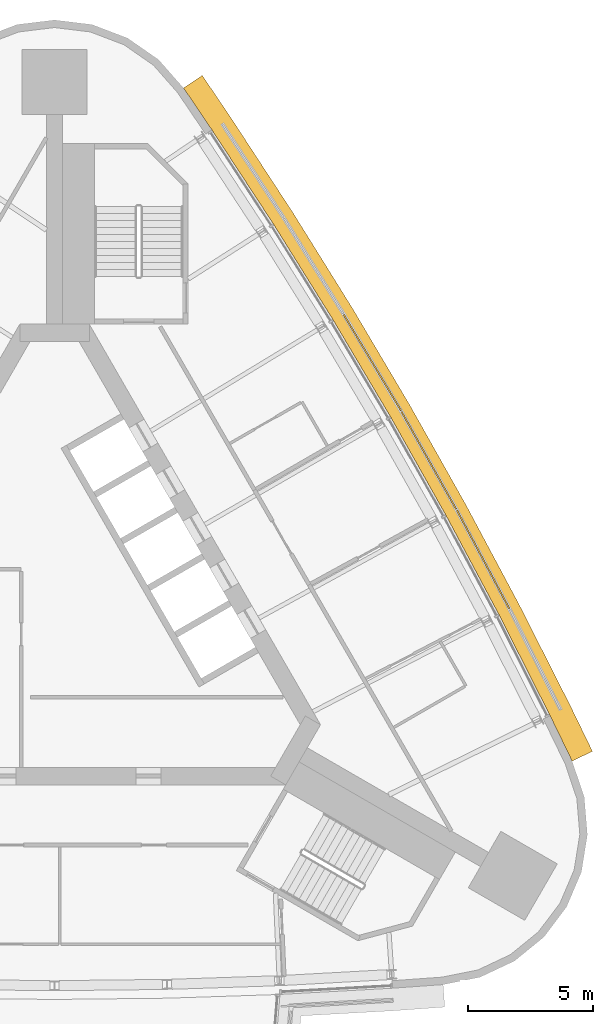
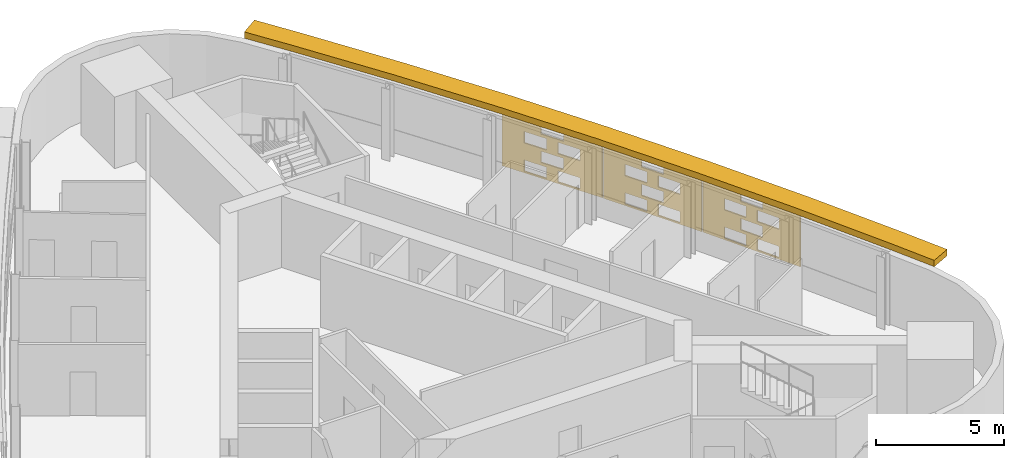
# One storey, part 14 of 14: 4 shading devices.
"""IFC4 building model written with IfcOpenShell, lengths in metres."""

from ifc_helpers import new_model, si_unit, direction, frame, origin, place, context, subcontext, project, spatial, polyline, outline, extrude, material, material_profile, profile_set, type_object, element, save


model = new_model("IFC4")

# Units and contexts
model_context = context("Model", 3, precision=1e-05, world=origin(), true_north=direction((0.0, 1.0)))
body_context = subcontext(model_context, "Body", "Model", "MODEL_VIEW")
ifc_project = project(units=[si_unit("LENGTHUNIT", "METRE"), si_unit("AREAUNIT", "SQUARE_METRE"), si_unit("VOLUMEUNIT", "CUBIC_METRE"), si_unit("PLANEANGLEUNIT", "RADIAN"), si_unit("MASSUNIT", "GRAM", prefix="KILO")], contexts=[model_context])

# Site, building, storey
site_placement = place(None, origin())
site = spatial("IfcSite", under=ifc_project, at=site_placement, CompositionType="ELEMENT")
building_placement = place(site_placement, origin())
building = spatial("IfcBuilding", under=site, at=building_placement, Name="Noor Cloister Tower", CompositionType="ELEMENT")
storey_placement = place(building_placement, frame((0.0, 0.0, 214.800048828125)))
storey = spatial("IfcBuildingStorey", under=building, at=storey_placement, Name="L55", CompositionType="ELEMENT", Elevation=214.800048828125)

# Shading devices
ifc_material_1 = material(Name="Limestone", Category="masonry")
ifc_material_profile = material_profile(ifc_material_1, outline(polyline([(-2.22998046875, -1.35009765625), (2.22998046875, -1.35009765625), (2.22998046875, 1.35009765625), (-2.22998046875, 1.35009765625), (-2.22998046875, -1.35009765625)]), holes=[polyline([(-1.25, -1.282470703125), (-0.25, -1.282470703125), (-0.25, -0.742431640625), (-1.25, -0.742431640625), (-1.25, -1.282470703125)]), polyline([(0.25, -1.282470703125), (1.25, -1.282470703125), (1.25, -0.742431640625), (0.25, -0.742431640625), (0.25, -1.282470703125)]), polyline([(-0.5, -0.607421875), (0.5, -0.607421875), (0.5, -0.0673828125), (-0.5, -0.0673828125), (-0.5, -0.607421875)]), polyline([(-1.25, 0.0673828125), (-0.25, 0.0673828125), (-0.25, 0.607421875), (-1.25, 0.607421875), (-1.25, 0.0673828125)]), polyline([(0.25, 0.0673828125), (1.25, 0.0673828125), (1.25, 0.607421875), (0.25, 0.607421875), (0.25, 0.0673828125)]), polyline([(-0.5, 0.742431640625), (0.5, 0.742431640625), (0.5, 1.282470703125), (-0.5, 1.282470703125), (-0.5, 0.742431640625)])]), Name="Woven screen 35 percent open")
ifc_profile_set = profile_set([ifc_material_profile], Name="Limestone")
shading_device_type_1 = type_object("IfcShadingDeviceType", Name="SCREEN woven limestone 35 percent open", PredefinedType="USERDEFINED", material=ifc_profile_set)
for number, where, z_axis, x_axis, name in (
    (1, (17.07861328125, 2.05078125, 1.849853515625), (0.882692078165, 0.469951800875, 0.0), (-0.469951800875, 0.882692078165, 0.0), "SCREEN L55 2"),
    (2, (14.91064453125, 6.005126953125, 1.849853515625), (0.872227864306, 0.489099736994, 0.0), (-0.489099736994, 0.872227864306, 0.0), "SCREEN L55 3"),
):
    element("IfcShadingDevice", number, at=place(storey_placement, frame(where, z_axis=z_axis, x_axis=x_axis)), inside=storey, type_object=shading_device_type_1, Name=name, ObjectType="SCREEN", PredefinedType="USERDEFINED", context=body_context, shape_type="SweptSolid", body=[
        extrude(outline(polyline([(-2.22998046875, -1.35009765625), (2.22998046875, -1.35009765625), (2.22998046875, 1.35009765625), (-2.22998046875, 1.35009765625), (-2.22998046875, -1.35009765625)]), holes=[polyline([(-1.25, -1.282470703125), (-0.25, -1.282470703125), (-0.25, -0.742431640625), (-1.25, -0.742431640625), (-1.25, -1.282470703125)]), polyline([(0.25, -1.282470703125), (1.25, -1.282470703125), (1.25, -0.742431640625), (0.25, -0.742431640625), (0.25, -1.282470703125)]), polyline([(-0.5, -0.607421875), (0.5, -0.607421875), (0.5, -0.0673828125), (-0.5, -0.0673828125), (-0.5, -0.607421875)]), polyline([(-1.25, 0.0673828125), (-0.25, 0.0673828125), (-0.25, 0.607421875), (-1.25, 0.607421875), (-1.25, 0.0673828125)]), polyline([(0.25, 0.0673828125), (1.25, 0.0673828125), (1.25, 0.607421875), (0.25, 0.607421875), (0.25, 0.0673828125)]), polyline([(-0.5, 0.742431640625), (0.5, 0.742431640625), (0.5, 1.282470703125), (-0.5, 1.282470703125), (-0.5, 0.742431640625)])]), origin(), (0.0, 0.0, 1.0), 0.059814453125),
    ])
shading_device_1_placement = place(storey_placement, frame((12.656005859375, 9.910400390625, 1.849853515625), z_axis=(0.858568146325, 0.512699461786, 0.0), x_axis=(-0.512699461786, 0.858568146325, 0.0)))
element("IfcShadingDevice", 3, at=shading_device_1_placement, inside=storey, type_object=shading_device_type_1, Name="SCREEN L55 4", ObjectType="SCREEN", PredefinedType="USERDEFINED", context=body_context, shape_type="SweptSolid", body=[
    extrude(outline(polyline([(-2.22998046875, -1.35009765625), (2.22998046875, -1.35009765625), (2.22998046875, 1.35009765625), (-2.22998046875, 1.35009765625), (-2.22998046875, -1.35009765625)]), holes=[polyline([(-1.25, -1.282470703125), (-0.25, -1.282470703125), (-0.25, -0.742431640625), (-1.25, -0.742431640625), (-1.25, -1.282470703125)]), polyline([(0.25, -1.282470703125), (1.25, -1.282470703125), (1.25, -0.742431640625), (0.25, -0.742431640625), (0.25, -1.282470703125)]), polyline([(-0.5, -0.607421875), (0.5, -0.607421875), (0.5, -0.0673828125), (-0.5, -0.0673828125), (-0.5, -0.607421875)]), polyline([(-1.25, 0.0673828125), (-0.25, 0.0673828125), (-0.25, 0.607421875), (-1.25, 0.607421875), (-1.25, 0.0673828125)]), polyline([(0.25, 0.0673828125), (1.25, 0.0673828125), (1.25, 0.607421875), (0.25, 0.607421875), (0.25, 0.0673828125)]), polyline([(-0.5, 0.742431640625), (0.5, 0.742431640625), (0.5, 1.282470703125), (-0.5, 1.282470703125), (-0.5, 0.742431640625)])]), origin(), (0.0, 0.0, 1.0), 0.06005859375),
])
ifc_material_2 = material(Name="Limestone", Category="masonry")
shading_device_type_2 = type_object("IfcShadingDeviceType", Name="SUNSHADE limestone band 900", PredefinedType="USERDEFINED", material=ifc_material_2)
shading_device_2_placement = place(storey_placement, frame((0.0, 0.0, 3.300048828125)))
element("IfcShadingDevice", 4, at=shading_device_2_placement, inside=storey, type_object=shading_device_type_2, Name="SUNSHADE L55 3", ObjectType="SUNSHADE", PredefinedType="USERDEFINED", context=body_context, shape_type="SweptSolid", body=[
    extrude(outline(polyline([(21.46533203125, -5.587158203125), (20.57861328125, -3.76171875), (18.539794921875, 0.26904296875), (16.4111328125, 4.256103515625), (14.194580078125, 8.1953125), (11.8916015625, 12.084228515625), (9.5029296875, 15.92138671875), (7.031494140625, 19.702392578125), (5.89404296875, 21.38330078125), (5.148681640625, 20.87890625), (6.2822265625, 19.2041015625), (8.744140625, 15.437255859375), (11.122314453125, 11.6171875), (13.415283203125, 7.745361328125), (15.621826171875, 3.823486328125), (17.7412109375, -0.14599609375), (19.772216796875, -4.16162109375), (20.65576171875, -5.98046875), (21.46533203125, -5.587158203125)])), origin(), (0.0, 0.0, 1.0), 0.2998046875),
])

save(model, "model.ifc")
